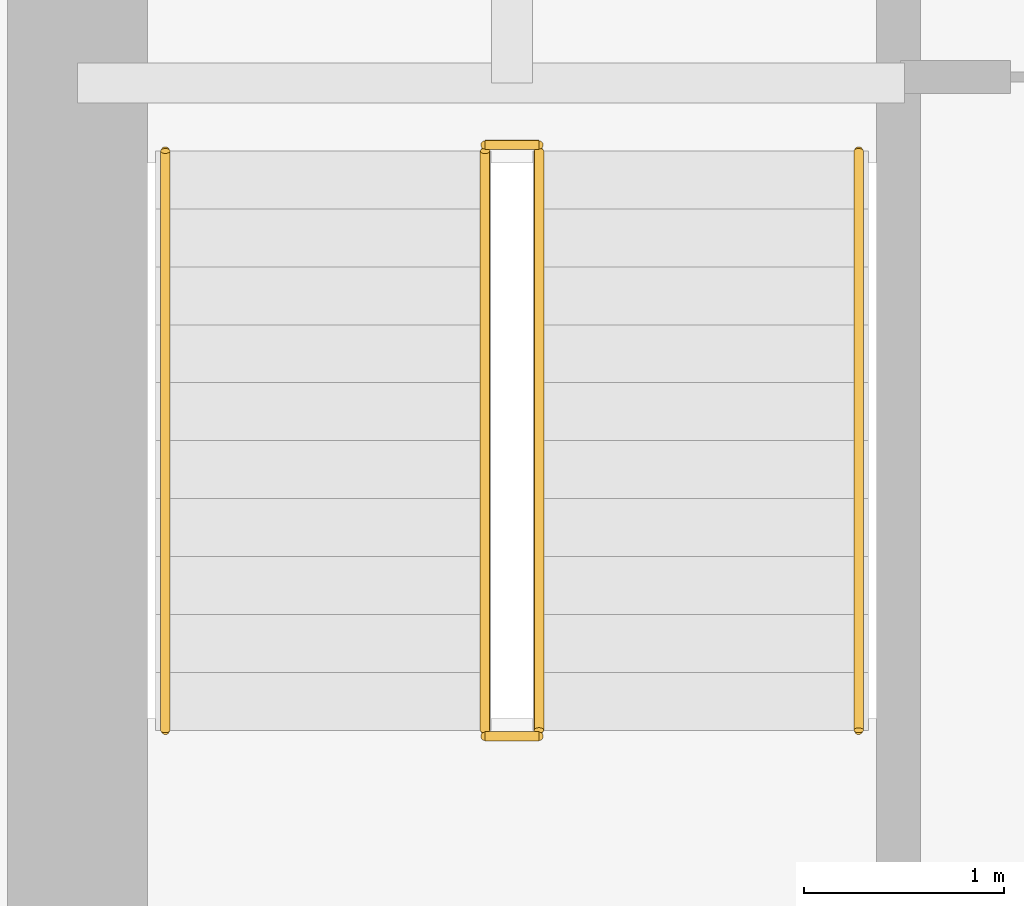
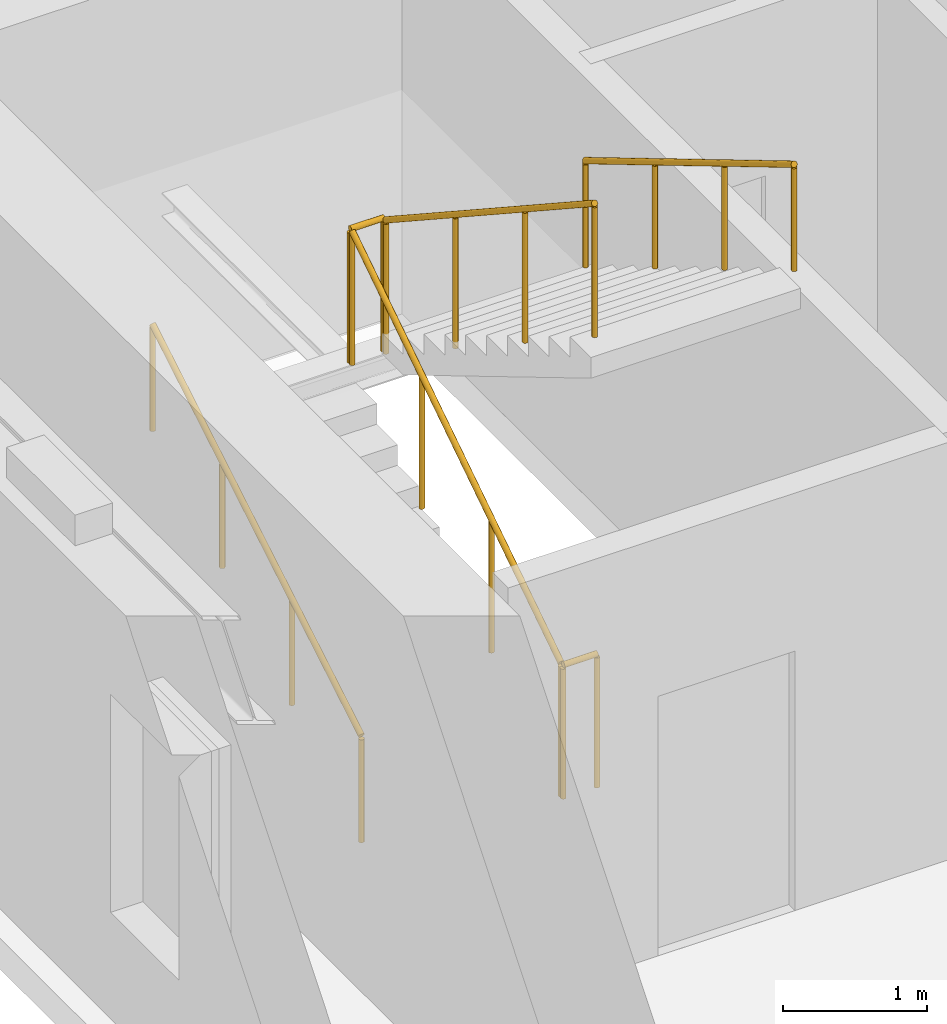
# One storey, part 12 of 14: 6 railings.
"""IFC4 building model written with IfcOpenShell, lengths in metres."""

from ifc_helpers import new_model, si_unit, direction, frame, origin, origin_2d, place, context, subcontext, project, spatial, circle, extrude, material, type_object, element, save


model = new_model("IFC4")

# Units and contexts
model_context = context("Model", 3, precision=1e-05, world=origin(), true_north=direction((0.0, 1.0)))
body_context = subcontext(model_context, "Body", "Model", "MODEL_VIEW")
ifc_project = project(units=[si_unit("LENGTHUNIT", "METRE"), si_unit("AREAUNIT", "SQUARE_METRE"), si_unit("VOLUMEUNIT", "CUBIC_METRE"), si_unit("PLANEANGLEUNIT", "RADIAN"), si_unit("MASSUNIT", "GRAM", prefix="KILO")], contexts=[model_context])

# Site, building, storey
site_placement = place(None, origin())
site = spatial("IfcSite", under=ifc_project, at=site_placement, CompositionType="ELEMENT")
building_placement = place(site_placement, origin())
building = spatial("IfcBuilding", under=site, at=building_placement, Name="Norrvale University Quadrangle", CompositionType="ELEMENT")
storey_placement = place(building_placement, frame((0.0, 0.0, 116.60009765625)))
storey = spatial("IfcBuildingStorey", under=building, at=storey_placement, Name="L29", CompositionType="ELEMENT", Elevation=116.60009765625)

# Railings
ifc_material_1 = material(Name="Steel 350W Painted Balustrade", Category="steel")
railing_type_1 = type_object("IfcRailingType", Name="Railing Stair Guard 1100", PredefinedType="GUARDRAIL", material=ifc_material_1)
for number, where, name in (
    (1, (4.239990234375, 42.02001953125, 0.0), "Stair Floor Well Guard ST-02 L29"),
    (2, (4.239990234375, 44.97998046875, 1.89990234375), "Stair Mid-Landing Slot Guard ST-02 L29"),
):
    element("IfcRailing", number, at=place(storey_placement, frame(where)), inside=storey, type_object=railing_type_1, Name=name, PredefinedType="GUARDRAIL", context=body_context, shape_type="SweptSolid", body=[
        extrude(circle(Radius=0.02392578125, at=origin_2d()), frame((0.0, 0.0, 1.1259765625), z_axis=(1.0, 0.0, 0.0), x_axis=(0.0, 1.0, 0.0)), (0.0, 0.0, 1.0), 0.27001953125),
        extrude(circle(Radius=0.02099609375, at=origin_2d()), origin(), (0.0, 0.0, 1.0), 1.101806640625),
        extrude(circle(Radius=0.02099609375, at=origin_2d()), frame((0.27001953125, 0.0, 0.0)), (0.0, 0.0, 1.0), 1.101806640625),
    ])
railing_1_placement = place(storey_placement, frame((4.239990234375, 42.050048828125, 0.0)))
element("IfcRailing", 3, at=railing_1_placement, inside=storey, type_object=railing_type_1, Name="Stair Lower Flight Inner Guard ST-02 L29", PredefinedType="GUARDRAIL", context=body_context, shape_type="SweptSolid", body=[
    extrude(circle(Radius=0.02392578125, at=origin_2d()), frame((0.0, 0.0, 1.1259765625), z_axis=(0.0, 0.836465582154, 0.548019461216), x_axis=(-1.0, 0.0, 0.0)), (0.0, 0.0, 1.0), 3.466796875),
    extrude(circle(Radius=0.02099609375, at=origin_2d()), origin(), (0.0, 0.0, 1.0), 1.101806640625),
    extrude(circle(Radius=0.02099609375, at=origin_2d()), frame((0.0, 0.966552734375, 0.63330078125)), (0.0, 0.0, 1.0), 1.101806640625),
    extrude(circle(Radius=0.02099609375, at=origin_2d()), frame((0.0, 1.933349609375, 1.2666015625)), (0.0, 0.0, 1.0), 1.101806640625),
    extrude(circle(Radius=0.02099609375, at=origin_2d()), frame((0.0, 2.89990234375, 1.89990234375)), (0.0, 0.0, 1.0), 1.101806640625),
])
railing_2_placement = place(storey_placement, frame((4.510009765625, 44.949951171875, 1.89990234375)))
element("IfcRailing", 4, at=railing_2_placement, inside=storey, type_object=railing_type_1, Name="Stair Upper Flight Inner Guard ST-02 L29", PredefinedType="GUARDRAIL", context=body_context, shape_type="SweptSolid", body=[
    extrude(circle(Radius=0.02392578125, at=origin_2d()), frame((0.0, 0.0, 1.1259765625), z_axis=(0.0, -0.836465582154, 0.548019461216), x_axis=(1.0, 0.0, 0.0)), (0.0, 0.0, 1.0), 3.466796875),
    extrude(circle(Radius=0.02099609375, at=origin_2d()), origin(), (0.0, 0.0, 1.0), 1.101806640625),
    extrude(circle(Radius=0.02099609375, at=origin_2d()), frame((0.0, -0.966552734375, 0.63330078125)), (0.0, 0.0, 1.0), 1.101806640625),
    extrude(circle(Radius=0.02099609375, at=origin_2d()), frame((0.0, -1.933349609375, 1.2666015625)), (0.0, 0.0, 1.0), 1.101806640625),
    extrude(circle(Radius=0.02099609375, at=origin_2d()), frame((0.0, -2.89990234375, 1.89990234375)), (0.0, 0.0, 1.0), 1.101806640625),
])
ifc_material_2 = material(Name="Stainless Steel 316L Handrail", Category="steel")
railing_type_2 = type_object("IfcRailingType", Name="Railing Stair Handrail 920", PredefinedType="HANDRAIL", material=ifc_material_2)
railing_3_placement = place(storey_placement, frame((2.639892578125, 42.050048828125, 0.172607421875)))
element("IfcRailing", 5, at=railing_3_placement, inside=storey, type_object=railing_type_2, Name="Stair Lower Flight Handrail ST-02 L29", PredefinedType="HANDRAIL", context=body_context, shape_type="SweptSolid", body=[
    extrude(circle(Radius=0.02392578125, at=origin_2d()), frame((0.0, 0.0, 0.89599609375), z_axis=(0.0, 0.859141464434, 0.511738159696), x_axis=(-1.0, 0.0, 0.0)), (0.0, 0.0, 1.0), 3.375244140625),
    extrude(circle(Radius=0.02099609375, at=origin_2d()), origin(), (0.0, 0.0, 1.0), 0.871826171875),
    extrude(circle(Radius=0.02099609375, at=origin_2d()), frame((0.0, 0.966552734375, 0.57568359375)), (0.0, 0.0, 1.0), 0.871826171875),
    extrude(circle(Radius=0.02099609375, at=origin_2d()), frame((0.0, 1.933349609375, 1.151611328125)), (0.0, 0.0, 1.0), 0.871826171875),
    extrude(circle(Radius=0.02099609375, at=origin_2d()), frame((0.0, 2.89990234375, 1.727294921875)), (0.0, 0.0, 1.0), 0.871826171875),
])
railing_4_placement = place(storey_placement, frame((6.110107421875, 44.949951171875, 2.072509765625)))
element("IfcRailing", 6, at=railing_4_placement, inside=storey, type_object=railing_type_2, Name="Stair Upper Flight Handrail ST-02 L29", PredefinedType="HANDRAIL", context=body_context, shape_type="SweptSolid", body=[
    extrude(circle(Radius=0.02392578125, at=origin_2d()), frame((0.0, 0.0, 0.89599609375), z_axis=(0.0, -0.859141464434, 0.511738159696), x_axis=(1.0, 0.0, 0.0)), (0.0, 0.0, 1.0), 3.375244140625),
    extrude(circle(Radius=0.02099609375, at=origin_2d()), origin(), (0.0, 0.0, 1.0), 0.871826171875),
    extrude(circle(Radius=0.02099609375, at=origin_2d()), frame((0.0, -0.966552734375, 0.57568359375)), (0.0, 0.0, 1.0), 0.871826171875),
    extrude(circle(Radius=0.02099609375, at=origin_2d()), frame((0.0, -1.933349609375, 1.151611328125)), (0.0, 0.0, 1.0), 0.871826171875),
    extrude(circle(Radius=0.02099609375, at=origin_2d()), frame((0.0, -2.89990234375, 1.727294921875)), (0.0, 0.0, 1.0), 0.871826171875),
])

save(model, "model.ifc")
